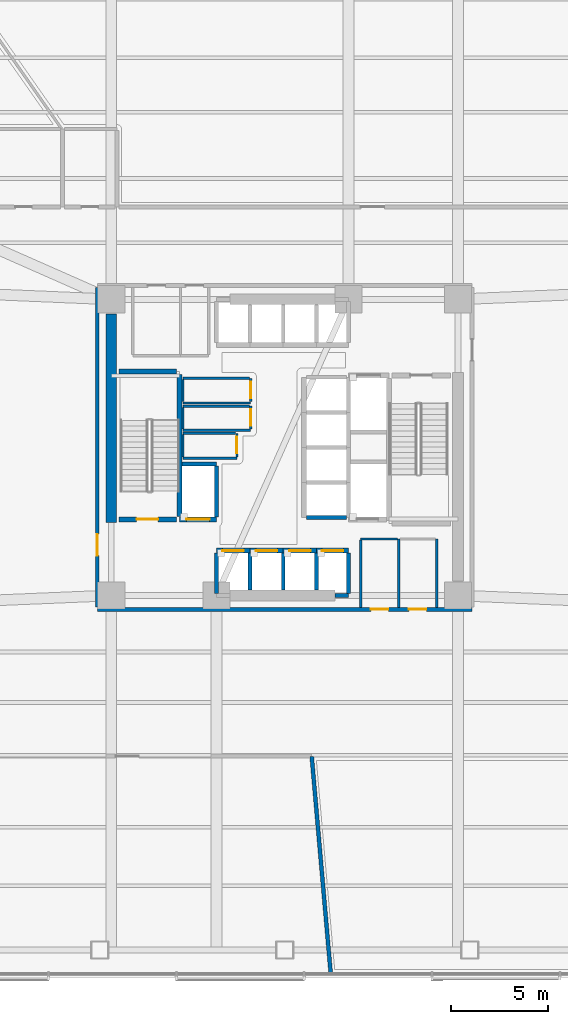
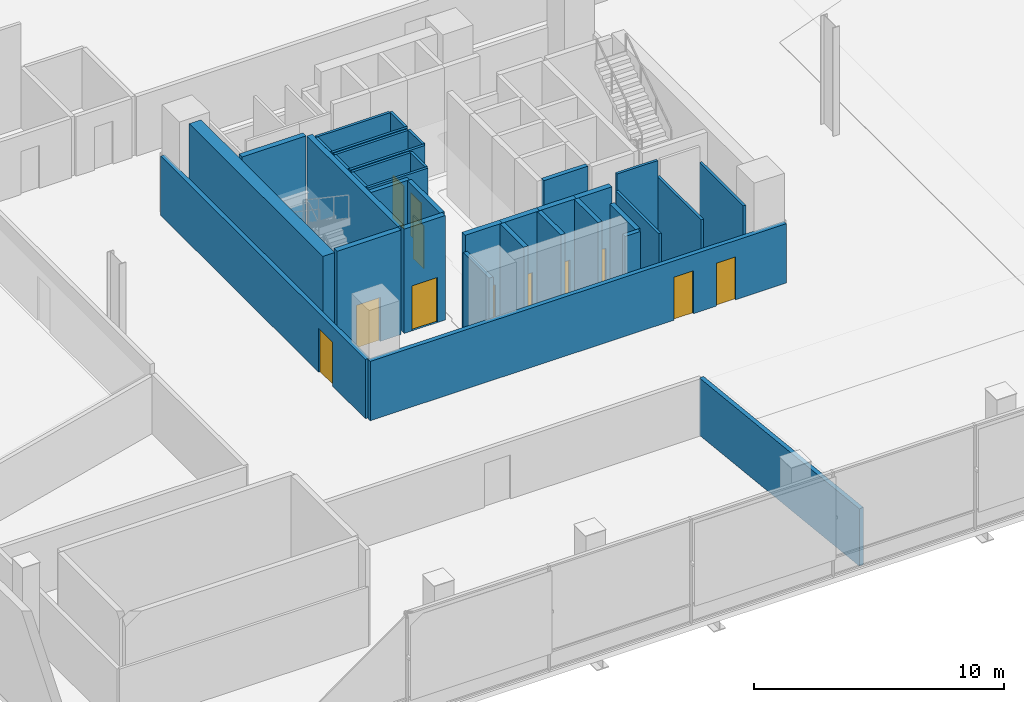
# One storey, part 12 of 19: 37 walls, 12 doors, 12 openings.
"""IFC4 building model written with IfcOpenShell, lengths in metres."""

from ifc_helpers import new_model, si_unit, direction, frame, frame_2d, origin, place, context, subcontext, project, spatial, rectangle, extrude, material, layer, layer_set, type_object, element, fill, save


model = new_model("IFC4")

# Units and contexts
model_context = context("Model", 3, precision=1e-05, world=origin(), true_north=direction((0.0, 1.0)))
body_context = subcontext(model_context, "Body", "Model", "MODEL_VIEW")
ifc_project = project(units=[si_unit("LENGTHUNIT", "METRE"), si_unit("AREAUNIT", "SQUARE_METRE"), si_unit("VOLUMEUNIT", "CUBIC_METRE"), si_unit("PLANEANGLEUNIT", "RADIAN"), si_unit("MASSUNIT", "GRAM", prefix="KILO")], contexts=[model_context])

# Site, building, storey
site_placement = place(None, origin())
site = spatial("IfcSite", under=ifc_project, at=site_placement, CompositionType="ELEMENT")
building_placement = place(site_placement, origin())
building = spatial("IfcBuilding", under=site, at=building_placement, Name="Tharavind Bronze Gate", CompositionType="ELEMENT")
storey_placement = place(building_placement, frame((0.0, 0.0, 26.5)))
storey = spatial("IfcBuildingStorey", under=building, at=storey_placement, Name="L05", CompositionType="ELEMENT", Elevation=26.5)

# Wall, openings, doors
ifc_material_1 = material(Name="Aerated Concrete Block", Category="concrete")
ifc_layer_1 = layer(ifc_material_1, 0.199951171875)
ifc_layer_set_1 = layer_set([ifc_layer_1], Name="Aerated Concrete Block")
wall_type_1 = type_object("IfcWallType", Name="FIRE RATED PARTITION 200", PredefinedType="PARTITIONING", material=ifc_layer_set_1)
wall_1_placement = place(storey_placement, frame((-9.6201171875, -8.320068359375, 0.0), z_axis=(0.0, 0.0, 1.0), x_axis=(1.0, 0.0, 0.0)))
wall_1 = element("IfcWall", 1, at=wall_1_placement, inside=storey, type_object=wall_type_1, Name="L05 south core corridor wall", PredefinedType="PARTITIONING", context=body_context, shape_type="SweptSolid", body=[
    extrude(rectangle(XDim=19.240234375, YDim=0.199951171875, at=frame_2d((9.6201171875, 0.0))), origin(), (0.0, 0.0, 1.0), 2.89990234375),
])
opening_1_placement = place(wall_1_placement, frame((14.044921875, 0.0, 0.0)))
opening_1 = element("IfcOpeningElement", 2, at=opening_1_placement, cuts=wall_1, Name="Opening ID07", PredefinedType="OPENING", context=body_context, shape_type="SweptSolid", body=[
    extrude(rectangle(XDim=0.89990234375, YDim=2.10009765625, at=frame_2d((0.449951171875, 1.050048828125))), frame((0.0, 0.11009765625, 0.0), z_axis=(0.0, -1.0, 0.0), x_axis=(1.0, 0.0, 0.0)), (0.0, 0.0, 1.0), 0.219951171875),
])
opening_2_placement = place(wall_1_placement, frame((15.9951171875, 0.0, 0.0)))
opening_2 = element("IfcOpeningElement", 3, at=opening_2_placement, cuts=wall_1, Name="Opening ID07", PredefinedType="OPENING", context=body_context, shape_type="SweptSolid", body=[
    extrude(rectangle(XDim=0.89990234375, YDim=2.10009765625, at=frame_2d((0.449951171875, 1.050048828125))), frame((0.0, 0.11009765625, 0.0), z_axis=(0.0, -1.0, 0.0), x_axis=(1.0, 0.0, 0.0)), (0.0, 0.0, 1.0), 0.219951171875),
])
ifc_material_2 = material(Name="Galvanised Fire Steel", Category="steel")
door_type_1 = type_object("IfcDoorType", Name="PLANT AND RISER FIRE DOOR 900X2100", OperationType="SINGLE_SWING_LEFT", PredefinedType="DOOR", material=ifc_material_2)
door_1_placement = place(opening_1_placement, origin())
door_1 = element("IfcDoor", 4, at=door_1_placement, inside=storey, type_object=door_type_1, Name="L05 Comms Patch Room fire door", OperationType="SINGLE_SWING_LEFT", OverallHeight=2.10009765625, OverallWidth=0.89990234375, PredefinedType="DOOR", context=body_context, shape_type="SweptSolid", body=[
    extrude(rectangle(XDim=0.89990234375, YDim=2.10009765625, at=frame_2d((0.449951171875, 1.050048828125))), frame((0.0, 0.02490234375, 0.0), z_axis=(0.0, -1.0, 0.0), x_axis=(1.0, 0.0, 0.0)), (0.0, 0.0, 1.0), 0.050048828125),
])
fill(opening_1, door_1)
door_2_placement = place(opening_2_placement, origin())
door_2 = element("IfcDoor", 5, at=door_2_placement, inside=storey, type_object=door_type_1, Name="L05 Housekeeping Store fire door", OperationType="SINGLE_SWING_LEFT", OverallHeight=2.10009765625, OverallWidth=0.89990234375, PredefinedType="DOOR", context=body_context, shape_type="SweptSolid", body=[
    extrude(rectangle(XDim=0.89990234375, YDim=2.10009765625, at=frame_2d((0.449951171875, 1.050048828125))), frame((0.0, 0.02490234375, 0.0), z_axis=(0.0, -1.0, 0.0), x_axis=(1.0, 0.0, 0.0)), (0.0, 0.0, 1.0), 0.050048828125),
])
fill(opening_2, door_2)

# Wall, opening, door
wall_2_placement = place(storey_placement, frame((-9.6201171875, 8.199951171875, 0.0), z_axis=(0.0, 0.0, 1.0), x_axis=(0.0, -1.0, 0.0)))
wall_2 = element("IfcWall", 6, at=wall_2_placement, inside=storey, type_object=wall_type_1, Name="L05 west core corridor wall", PredefinedType="PARTITIONING", context=body_context, shape_type="SweptSolid", body=[
    extrude(rectangle(XDim=16.39990234375, YDim=0.199951171875, at=frame_2d((8.199951171875, 0.0))), origin(), (0.0, 0.0, 1.0), 2.89990234375),
])
opening_3_placement = place(wall_2_placement, frame((12.64990234375, 0.0, 0.0)))
opening_3 = element("IfcOpeningElement", 7, at=opening_3_placement, cuts=wall_2, Name="Opening ID01", PredefinedType="OPENING", context=body_context, shape_type="SweptSolid", body=[
    extrude(rectangle(XDim=1.10009765625, YDim=2.14990234375, at=frame_2d((0.550048828125, 1.074951171875))), frame((0.0, 0.11009765625, 0.0), z_axis=(0.0, -1.0, 0.0), x_axis=(1.0, 0.0, 0.0)), (0.0, 0.0, 1.0), 0.219951171875),
])
ifc_material_3 = material(Name="Fire-Rated Steel", Category="steel")
door_type_2 = type_object("IfcDoorType", Name="STAIR CORE FIRE DOOR 1100X2150", OperationType="SINGLE_SWING_LEFT", PredefinedType="DOOR", material=ifc_material_3)
door_3_placement = place(opening_3_placement, frame((1.10009765625, 0.0, 0.0), z_axis=(0.0, 0.0, 1.0), x_axis=(-1.0, 0.0, 0.0)))
door_3 = element("IfcDoor", 8, at=door_3_placement, inside=storey, type_object=door_type_2, Name="L05 south west stair lobby fire door", OperationType="SINGLE_SWING_LEFT", OverallHeight=2.14990234375, OverallWidth=1.10009765625, PredefinedType="DOOR", context=body_context, shape_type="SweptSolid", body=[
    extrude(rectangle(XDim=1.10009765625, YDim=2.14990234375, at=frame_2d((0.550048828125, 1.074951171875))), frame((0.0, 0.02490234375, 0.0), z_axis=(0.0, -1.0, 0.0), x_axis=(1.0, 0.0, 0.0)), (0.0, 0.0, 1.0), 0.050048828125),
])
fill(opening_3, door_3)

# Walls
wall_3_placement = place(storey_placement, frame((1.388671875, -15.872802734375, 0.0), z_axis=(0.0, 0.0, 1.0), x_axis=(0.087157182967, -0.996194572088, 0.0)))
element("IfcWall", 9, at=wall_3_placement, inside=storey, type_object=wall_type_1, Name="L05 Press & Broadcast Media Lounge partition", PredefinedType="PARTITIONING", context=body_context, shape_type="SweptSolid", body=[
    extrude(rectangle(XDim=11.16259765625, YDim=0.199951171875, at=frame_2d((5.581298828125, 0.0))), origin(), (0.0, 0.0, 1.0), 2.800048828125),
])
ifc_material_4 = material(Name="Metal Stud Gypsum Partition", Category="gypsum")
ifc_layer_2 = layer(ifc_material_4, 0.1201171875)
ifc_layer_set_2 = layer_set([ifc_layer_2], Name="Metal Stud Gypsum Partition")
wall_type_2 = type_object("IfcWallType", Name="INTERIOR PARTITION WALL 120", PredefinedType="PARTITIONING", material=ifc_layer_set_2)
wall_4_placement = place(storey_placement, frame((-5.219970703125, 2.280029296875, 0.0), z_axis=(0.0, 0.0, 1.0), x_axis=(1.0, 0.0, 0.0)))
element("IfcWall", 10, at=wall_4_placement, inside=storey, type_object=wall_type_2, Name="L05 Housekeeping Linen Store partition 1", PredefinedType="PARTITIONING", context=body_context, shape_type="SweptSolid", body=[
    extrude(rectangle(XDim=3.469970703125, YDim=0.1201171875, at=frame_2d((1.73486328125, 0.0))), origin(), (0.0, 0.0, 1.0), 5.10498046875),
])

# Wall, opening, door
wall_5_placement = place(storey_placement, frame((-1.75, 2.344970703125, 0.0), z_axis=(0.0, 0.0, 1.0), x_axis=(0.0, 1.0, 0.0)))
wall_5 = element("IfcWall", 11, at=wall_5_placement, inside=storey, type_object=wall_type_2, Name="L05 Housekeeping Linen Store partition 2", PredefinedType="PARTITIONING", context=body_context, shape_type="SweptSolid", body=[
    extrude(rectangle(XDim=1.205078125, YDim=0.1201171875, at=frame_2d((0.6025390625, 0.0))), origin(), (0.0, 0.0, 1.0), 5.10498046875),
])
opening_4_placement = place(wall_5_placement, frame((0.177001953125, 0.0, 0.0)))
opening_4 = element("IfcOpeningElement", 12, at=opening_4_placement, cuts=wall_5, Name="Opening ID06", PredefinedType="OPENING", context=body_context, shape_type="SweptSolid", body=[
    extrude(rectangle(XDim=0.85009765625, YDim=2.10009765625, at=frame_2d((0.425048828125, 1.050048828125))), frame((0.0, 0.07005859375, 0.0), z_axis=(0.0, -1.0, 0.0), x_axis=(1.0, 0.0, 0.0)), (0.0, 0.0, 1.0), 0.1401171875),
])
ifc_material_5 = material(Name="Moisture-Resistant Timber", Category="wood")
door_type_3 = type_object("IfcDoorType", Name="BATHROOM PRIVACY DOOR 850X2100", OperationType="SINGLE_SWING_RIGHT", PredefinedType="DOOR", material=ifc_material_5)
door_4_placement = place(opening_4_placement, frame((0.85009765625, 0.0, 0.0), z_axis=(0.0, 0.0, 1.0), x_axis=(-1.0, 0.0, 0.0)))
door_4 = element("IfcDoor", 13, at=door_4_placement, inside=storey, type_object=door_type_3, Name="L05 Housekeeping Linen Store door", OperationType="SINGLE_SWING_RIGHT", OverallHeight=2.10009765625, OverallWidth=0.85009765625, PredefinedType="DOOR", context=body_context, shape_type="SweptSolid", body=[
    extrude(rectangle(XDim=0.85009765625, YDim=2.10009765625, at=frame_2d((0.425048828125, 1.050048828125))), frame((0.0, 0.02490234375, 0.0), z_axis=(0.0, -1.0, 0.0), x_axis=(1.0, 0.0, 0.0)), (0.0, 0.0, 1.0), 0.050048828125),
])
fill(opening_4, door_4)

# Walls
wall_6_placement = place(storey_placement, frame((-1.81494140625, 3.550048828125, 0.0), z_axis=(0.0, 0.0, 1.0), x_axis=(-1.0, 0.0, 0.0)))
element("IfcWall", 14, at=wall_6_placement, inside=storey, type_object=wall_type_2, Name="L05 Housekeeping Linen Store partition 3", PredefinedType="PARTITIONING", context=body_context, shape_type="SweptSolid", body=[
    extrude(rectangle(XDim=3.405029296875, YDim=0.1201171875, at=frame_2d((1.70263671875, 0.0))), origin(), (0.0, 0.0, 1.0), 5.10498046875),
])
wall_7_placement = place(storey_placement, frame((-5.219970703125, 3.485107421875, 0.0), z_axis=(0.0, 0.0, 1.0), x_axis=(0.0, -1.0, 0.0)))
element("IfcWall", 15, at=wall_7_placement, inside=storey, type_object=wall_type_2, Name="L05 Housekeeping Linen Store partition 4", PredefinedType="PARTITIONING", context=body_context, shape_type="SweptSolid", body=[
    extrude(rectangle(XDim=1.14013671875, YDim=0.1201171875, at=frame_2d((0.570068359375, 0.0))), origin(), (0.0, 0.0, 1.0), 5.10498046875),
])
wall_8_placement = place(storey_placement, frame((-5.219970703125, 0.8798828125, 0.0), z_axis=(0.0, 0.0, 1.0), x_axis=(1.0, 0.0, 0.0)))
element("IfcWall", 16, at=wall_8_placement, inside=storey, type_object=wall_type_2, Name="L05 Comms Data Room partition 1", PredefinedType="PARTITIONING", context=body_context, shape_type="SweptSolid", body=[
    extrude(rectangle(XDim=3.469970703125, YDim=0.1201171875, at=frame_2d((1.73486328125, 0.0))), origin(), (0.0, 0.0, 1.0), 5.10498046875),
])

# Wall, opening, door
wall_9_placement = place(storey_placement, frame((-1.75, 0.945068359375, 0.0), z_axis=(0.0, 0.0, 1.0), x_axis=(0.0, 1.0, 0.0)))
wall_9 = element("IfcWall", 17, at=wall_9_placement, inside=storey, type_object=wall_type_2, Name="L05 Comms Data Room partition 2", PredefinedType="PARTITIONING", context=body_context, shape_type="SweptSolid", body=[
    extrude(rectangle(XDim=1.175048828125, YDim=0.1201171875, at=frame_2d((0.58740234375, 0.0))), origin(), (0.0, 0.0, 1.0), 5.10498046875),
])
opening_5_placement = place(wall_9_placement, frame((0.1630859375, 0.0, 0.0)))
opening_5 = element("IfcOpeningElement", 18, at=opening_5_placement, cuts=wall_9, Name="Opening ID06", PredefinedType="OPENING", context=body_context, shape_type="SweptSolid", body=[
    extrude(rectangle(XDim=0.85009765625, YDim=2.10009765625, at=frame_2d((0.425048828125, 1.050048828125))), frame((0.0, 0.07005859375, 0.0), z_axis=(0.0, -1.0, 0.0), x_axis=(1.0, 0.0, 0.0)), (0.0, 0.0, 1.0), 0.1401171875),
])
door_5_placement = place(opening_5_placement, frame((0.85009765625, 0.0, 0.0), z_axis=(0.0, 0.0, 1.0), x_axis=(-1.0, 0.0, 0.0)))
door_5 = element("IfcDoor", 19, at=door_5_placement, inside=storey, type_object=door_type_3, Name="L05 Comms Data Room door", OperationType="SINGLE_SWING_RIGHT", OverallHeight=2.10009765625, OverallWidth=0.85009765625, PredefinedType="DOOR", context=body_context, shape_type="SweptSolid", body=[
    extrude(rectangle(XDim=0.85009765625, YDim=2.10009765625, at=frame_2d((0.425048828125, 1.050048828125))), frame((0.0, 0.02490234375, 0.0), z_axis=(0.0, -1.0, 0.0), x_axis=(1.0, 0.0, 0.0)), (0.0, 0.0, 1.0), 0.050048828125),
])
fill(opening_5, door_5)

# Walls
wall_10_placement = place(storey_placement, frame((-1.81494140625, 2.1201171875, 0.0), z_axis=(0.0, 0.0, 1.0), x_axis=(-1.0, 0.0, 0.0)))
element("IfcWall", 20, at=wall_10_placement, inside=storey, type_object=wall_type_2, Name="L05 Comms Data Room partition 3", PredefinedType="PARTITIONING", context=body_context, shape_type="SweptSolid", body=[
    extrude(rectangle(XDim=3.405029296875, YDim=0.1201171875, at=frame_2d((1.70263671875, 0.0))), origin(), (0.0, 0.0, 1.0), 5.10498046875),
])
wall_11_placement = place(storey_placement, frame((-5.219970703125, 2.054931640625, 0.0), z_axis=(0.0, 0.0, 1.0), x_axis=(0.0, -1.0, 0.0)))
element("IfcWall", 21, at=wall_11_placement, inside=storey, type_object=wall_type_2, Name="L05 Comms Data Room partition 4", PredefinedType="PARTITIONING", context=body_context, shape_type="SweptSolid", body=[
    extrude(rectangle(XDim=1.10986328125, YDim=0.1201171875, at=frame_2d((0.554931640625, 0.0))), origin(), (0.0, 0.0, 1.0), 5.10498046875),
])
wall_12_placement = place(storey_placement, frame((-5.219970703125, -0.550048828125, 0.0), z_axis=(0.0, 0.0, 1.0), x_axis=(1.0, 0.0, 0.0)))
element("IfcWall", 22, at=wall_12_placement, inside=storey, type_object=wall_type_2, Name="L05 Electrical Metering Store partition 1", PredefinedType="PARTITIONING", context=body_context, shape_type="SweptSolid", body=[
    extrude(rectangle(XDim=2.77001953125, YDim=0.1201171875, at=frame_2d((1.385009765625, 0.0))), origin(), (0.0, 0.0, 1.0), 5.10498046875),
])

# Wall, opening, door
wall_13_placement = place(storey_placement, frame((-2.449951171875, -0.485107421875, 0.0), z_axis=(0.0, 0.0, 1.0), x_axis=(0.0, 1.0, 0.0)))
wall_13 = element("IfcWall", 23, at=wall_13_placement, inside=storey, type_object=wall_type_2, Name="L05 Electrical Metering Store partition 2", PredefinedType="PARTITIONING", context=body_context, shape_type="SweptSolid", body=[
    extrude(rectangle(XDim=1.205078125, YDim=0.1201171875, at=frame_2d((0.6025390625, 0.0))), origin(), (0.0, 0.0, 1.0), 5.10498046875),
])
opening_6_placement = place(wall_13_placement, frame((0.177978515625, 0.0, 0.0)))
opening_6 = element("IfcOpeningElement", 24, at=opening_6_placement, cuts=wall_13, Name="Opening ID06", PredefinedType="OPENING", context=body_context, shape_type="SweptSolid", body=[
    extrude(rectangle(XDim=0.85009765625, YDim=2.10009765625, at=frame_2d((0.425048828125, 1.050048828125))), frame((0.0, 0.07005859375, 0.0), z_axis=(0.0, -1.0, 0.0), x_axis=(1.0, 0.0, 0.0)), (0.0, 0.0, 1.0), 0.1401171875),
])
door_6_placement = place(opening_6_placement, frame((0.85009765625, 0.0, 0.0), z_axis=(0.0, 0.0, 1.0), x_axis=(-1.0, 0.0, 0.0)))
door_6 = element("IfcDoor", 25, at=door_6_placement, inside=storey, type_object=door_type_3, Name="L05 Electrical Metering Store door", OperationType="SINGLE_SWING_RIGHT", OverallHeight=2.10009765625, OverallWidth=0.85009765625, PredefinedType="DOOR", context=body_context, shape_type="SweptSolid", body=[
    extrude(rectangle(XDim=0.85009765625, YDim=2.10009765625, at=frame_2d((0.425048828125, 1.050048828125))), frame((0.0, 0.02490234375, 0.0), z_axis=(0.0, -1.0, 0.0), x_axis=(1.0, 0.0, 0.0)), (0.0, 0.0, 1.0), 0.050048828125),
])
fill(opening_6, door_6)

# Walls
wall_14_placement = place(storey_placement, frame((-2.514892578125, 0.719970703125, 0.0), z_axis=(0.0, 0.0, 1.0), x_axis=(-1.0, 0.0, 0.0)))
element("IfcWall", 26, at=wall_14_placement, inside=storey, type_object=wall_type_2, Name="L05 Electrical Metering Store partition 3", PredefinedType="PARTITIONING", context=body_context, shape_type="SweptSolid", body=[
    extrude(rectangle(XDim=2.705078125, YDim=0.1201171875, at=frame_2d((1.3525390625, 0.0))), origin(), (0.0, 0.0, 1.0), 5.10498046875),
])
wall_15_placement = place(storey_placement, frame((-5.219970703125, 0.655029296875, 0.0), z_axis=(0.0, 0.0, 1.0), x_axis=(0.0, -1.0, 0.0)))
element("IfcWall", 27, at=wall_15_placement, inside=storey, type_object=wall_type_2, Name="L05 Electrical Metering Store partition 4", PredefinedType="PARTITIONING", context=body_context, shape_type="SweptSolid", body=[
    extrude(rectangle(XDim=1.14013671875, YDim=0.1201171875, at=frame_2d((0.570068359375, 0.0))), origin(), (0.0, 0.0, 1.0), 5.10498046875),
])
wall_16_placement = place(storey_placement, frame((5.85009765625, -8.215087890625, 0.0), z_axis=(0.0, 0.0, 1.0), x_axis=(0.0, 1.0, 0.0)))
element("IfcWall", 28, at=wall_16_placement, inside=storey, type_object=wall_type_2, Name="L05 Comms Patch Room partition 2", PredefinedType="PARTITIONING", context=body_context, shape_type="SweptSolid", body=[
    extrude(rectangle(XDim=3.51513671875, YDim=0.1201171875, at=frame_2d((1.757568359375, 0.0))), origin(), (0.0, 0.0, 1.0), 4.300048828125),
])
wall_17_placement = place(storey_placement, frame((5.784912109375, -4.699951171875, 0.0), z_axis=(0.0, 0.0, 1.0), x_axis=(-1.0, 0.0, 0.0)))
element("IfcWall", 29, at=wall_17_placement, inside=storey, type_object=wall_type_2, Name="L05 Comms Patch Room partition 3", PredefinedType="PARTITIONING", context=body_context, shape_type="SweptSolid", body=[
    extrude(rectangle(XDim=1.885009765625, YDim=0.1201171875, at=frame_2d((0.9423828125, 0.0))), origin(), (0.0, 0.0, 1.0), 5.10498046875),
])
wall_18_placement = place(storey_placement, frame((3.89990234375, -4.764892578125, 0.0), z_axis=(0.0, 0.0, 1.0), x_axis=(0.0, -1.0, 0.0)))
element("IfcWall", 30, at=wall_18_placement, inside=storey, type_object=wall_type_2, Name="L05 Comms Patch Room partition 4", PredefinedType="PARTITIONING", context=body_context, shape_type="SweptSolid", body=[
    extrude(rectangle(XDim=3.4501953125, YDim=0.1201171875, at=frame_2d((1.72509765625, 0.0))), origin(), (0.0, 0.0, 1.0), 4.300048828125),
])
wall_19_placement = place(storey_placement, frame((7.800048828125, -8.215087890625, 0.0), z_axis=(0.0, 0.0, 1.0), x_axis=(0.0, 1.0, 0.0)))
element("IfcWall", 31, at=wall_19_placement, inside=storey, type_object=wall_type_2, Name="L05 Housekeeping Store partition 2", PredefinedType="PARTITIONING", context=body_context, shape_type="SweptSolid", body=[
    extrude(rectangle(XDim=3.51513671875, YDim=0.1201171875, at=frame_2d((1.757568359375, 0.0))), origin(), (0.0, 0.0, 1.0), 4.300048828125),
])
ifc_material_6 = material(Name="Concrete C50/60", Category="concrete")
ifc_layer_3 = layer(ifc_material_6, 0.25)
ifc_layer_set_3 = layer_set([ifc_layer_3], Name="Concrete C50/60")
wall_type_3 = type_object("IfcWallType", Name="RC CORE SHEAR WALL 250", PredefinedType="SHEAR", material=ifc_layer_set_3)
wall_20_placement = place(storey_placement, frame((-5.39990234375, -3.550048828125, 0.0), z_axis=(0.0, 0.0, 1.0), x_axis=(0.0, 1.0, 0.0)))
element("IfcWall", 32, at=wall_20_placement, inside=storey, type_object=wall_type_3, Name="L05 ST1 shaft east wall", PredefinedType="SHEAR", context=body_context, shape_type="SweptSolid", body=[
    extrude(rectangle(XDim=7.300048828125, YDim=0.25, at=frame_2d((3.64990234375, 0.0))), origin(), (0.0, 0.0, 1.0), 5.10498046875),
])

# Wall, opening, door
wall_21_placement = place(storey_placement, frame((-8.5, -3.699951171875, 0.0), z_axis=(0.0, 0.0, 1.0), x_axis=(1.0, 0.0, 0.0)))
wall_21 = element("IfcWall", 33, at=wall_21_placement, inside=storey, type_object=wall_type_3, Name="L05 ST1 shaft south wall", PredefinedType="SHEAR", context=body_context, shape_type="SweptSolid", body=[
    extrude(rectangle(XDim=2.949951171875, YDim=0.25, at=frame_2d((1.47509765625, 0.0))), origin(), (0.0, 0.0, 1.0), 5.10498046875),
])
opening_7_placement = place(wall_21_placement, frame((0.89990234375, 0.0, 0.0)))
opening_7 = element("IfcOpeningElement", 34, at=opening_7_placement, cuts=wall_21, Name="Opening ID01", PredefinedType="OPENING", context=body_context, shape_type="SweptSolid", body=[
    extrude(rectangle(XDim=1.10009765625, YDim=2.14990234375, at=frame_2d((0.550048828125, 1.074951171875))), frame((0.0, 0.135, 0.0), z_axis=(0.0, -1.0, 0.0), x_axis=(1.0, 0.0, 0.0)), (0.0, 0.0, 1.0), 0.27),
])
door_7_placement = place(opening_7_placement, origin())
door_7 = element("IfcDoor", 35, at=door_7_placement, inside=storey, type_object=door_type_2, Name="L05 exit stair ST1 fire door", OperationType="SINGLE_SWING_LEFT", OverallHeight=2.14990234375, OverallWidth=1.10009765625, PredefinedType="DOOR", context=body_context, shape_type="SweptSolid", body=[
    extrude(rectangle(XDim=1.10009765625, YDim=2.14990234375, at=frame_2d((0.550048828125, 1.074951171875))), frame((0.0, 0.02490234375, 0.0), z_axis=(0.0, -1.0, 0.0), x_axis=(1.0, 0.0, 0.0)), (0.0, 0.0, 1.0), 0.050048828125),
])
fill(opening_7, door_7)

# Wall
wall_22_placement = place(storey_placement, frame((-8.5, 3.89990234375, 0.0), z_axis=(0.0, 0.0, 1.0), x_axis=(1.0, 0.0, 0.0)))
element("IfcWall", 36, at=wall_22_placement, inside=storey, type_object=wall_type_3, Name="L05 ST1 shaft north wall", PredefinedType="SHEAR", context=body_context, shape_type="SweptSolid", body=[
    extrude(rectangle(XDim=2.949951171875, YDim=0.25, at=frame_2d((1.47509765625, 0.0))), origin(), (0.0, 0.0, 1.0), 5.10498046875),
])

# Wall, opening, door
wall_23_placement = place(storey_placement, frame((-3.5, -5.300048828125, 0.0), z_axis=(0.0, 0.0, 1.0), x_axis=(1.0, 0.0, 0.0)))
wall_23 = element("IfcWall", 37, at=wall_23_placement, inside=storey, type_object=wall_type_3, Name="L05 lift PL1 shaft front wall", PredefinedType="SHEAR", context=body_context, shape_type="SweptSolid", body=[
    extrude(rectangle(XDim=1.71240234375, YDim=0.25, at=frame_2d((0.856201171875, 0.0))), origin(), (0.0, 0.0, 1.0), 5.10498046875),
])
opening_8_placement = place(wall_23_placement, frame((0.305908203125, 0.0, 0.0)))
opening_8 = element("IfcOpeningElement", 38, at=opening_8_placement, cuts=wall_23, Name="Opening LD01", PredefinedType="OPENING", context=body_context, shape_type="SweptSolid", body=[
    extrude(rectangle(XDim=1.10009765625, YDim=2.199951171875, at=frame_2d((0.550048828125, 1.10009765625))), frame((0.0, 0.135, 0.0), z_axis=(0.0, -1.0, 0.0), x_axis=(1.0, 0.0, 0.0)), (0.0, 0.0, 1.0), 0.27),
])
ifc_material_7 = material(Name="Brushed Bronze Stainless Steel", Category="steel")
door_type_4 = type_object("IfcDoorType", Name="LIFT LANDING SLIDING DOOR 1100X2200", OperationType="SLIDING_TO_LEFT", PredefinedType="DOOR", material=ifc_material_7)
door_8_placement = place(opening_8_placement, origin())
door_8 = element("IfcDoor", 39, at=door_8_placement, inside=storey, type_object=door_type_4, Name="L05 lift PL1 sliding landing door", OperationType="SLIDING_TO_LEFT", OverallHeight=2.199951171875, OverallWidth=1.10009765625, PredefinedType="DOOR", context=body_context, shape_type="SweptSolid", body=[
    extrude(rectangle(XDim=1.10009765625, YDim=2.199951171875, at=frame_2d((0.550048828125, 1.10009765625))), frame((0.0, 0.02490234375, 0.0), z_axis=(0.0, -1.0, 0.0), x_axis=(1.0, 0.0, 0.0)), (0.0, 0.0, 1.0), 0.050048828125),
])
fill(opening_8, door_8)

wall_24_placement = place(storey_placement, frame((-1.78759765625, -5.300048828125, 0.0), z_axis=(0.0, 0.0, 1.0), x_axis=(1.0, 0.0, 0.0)))
wall_24 = element("IfcWall", 40, at=wall_24_placement, inside=storey, type_object=wall_type_3, Name="L05 lift PL2 shaft front wall", PredefinedType="SHEAR", context=body_context, shape_type="SweptSolid", body=[
    extrude(rectangle(XDim=1.712646484375, YDim=0.25, at=frame_2d((0.8564453125, 0.0))), origin(), (0.0, 0.0, 1.0), 5.10498046875),
])
opening_9_placement = place(wall_24_placement, frame((0.305908203125, 0.0, 0.0)))
opening_9 = element("IfcOpeningElement", 41, at=opening_9_placement, cuts=wall_24, Name="Opening LD01", PredefinedType="OPENING", context=body_context, shape_type="SweptSolid", body=[
    extrude(rectangle(XDim=1.10009765625, YDim=2.199951171875, at=frame_2d((0.550048828125, 1.10009765625))), frame((0.0, 0.135, 0.0), z_axis=(0.0, -1.0, 0.0), x_axis=(1.0, 0.0, 0.0)), (0.0, 0.0, 1.0), 0.27),
])
door_9_placement = place(opening_9_placement, origin())
door_9 = element("IfcDoor", 42, at=door_9_placement, inside=storey, type_object=door_type_4, Name="L05 lift PL2 sliding landing door", OperationType="SLIDING_TO_LEFT", OverallHeight=2.199951171875, OverallWidth=1.10009765625, PredefinedType="DOOR", context=body_context, shape_type="SweptSolid", body=[
    extrude(rectangle(XDim=1.10009765625, YDim=2.199951171875, at=frame_2d((0.550048828125, 1.10009765625))), frame((0.0, 0.02490234375, 0.0), z_axis=(0.0, -1.0, 0.0), x_axis=(1.0, 0.0, 0.0)), (0.0, 0.0, 1.0), 0.050048828125),
])
fill(opening_9, door_9)

wall_25_placement = place(storey_placement, frame((-0.074951171875, -5.300048828125, 0.0), z_axis=(0.0, 0.0, 1.0), x_axis=(1.0, 0.0, 0.0)))
wall_25 = element("IfcWall", 43, at=wall_25_placement, inside=storey, type_object=wall_type_3, Name="L05 lift PL3 shaft front wall", PredefinedType="SHEAR", context=body_context, shape_type="SweptSolid", body=[
    extrude(rectangle(XDim=1.71240234375, YDim=0.25, at=frame_2d((0.856201171875, 0.0))), origin(), (0.0, 0.0, 1.0), 5.10498046875),
])
opening_10_placement = place(wall_25_placement, frame((0.305908203125, 0.0, 0.0)))
opening_10 = element("IfcOpeningElement", 44, at=opening_10_placement, cuts=wall_25, Name="Opening LD01", PredefinedType="OPENING", context=body_context, shape_type="SweptSolid", body=[
    extrude(rectangle(XDim=1.10009765625, YDim=2.199951171875, at=frame_2d((0.550048828125, 1.10009765625))), frame((0.0, 0.135, 0.0), z_axis=(0.0, -1.0, 0.0), x_axis=(1.0, 0.0, 0.0)), (0.0, 0.0, 1.0), 0.27),
])
door_10_placement = place(opening_10_placement, origin())
door_10 = element("IfcDoor", 45, at=door_10_placement, inside=storey, type_object=door_type_4, Name="L05 lift PL3 sliding landing door", OperationType="SLIDING_TO_LEFT", OverallHeight=2.199951171875, OverallWidth=1.10009765625, PredefinedType="DOOR", context=body_context, shape_type="SweptSolid", body=[
    extrude(rectangle(XDim=1.10009765625, YDim=2.199951171875, at=frame_2d((0.550048828125, 1.10009765625))), frame((0.0, 0.02490234375, 0.0), z_axis=(0.0, -1.0, 0.0), x_axis=(1.0, 0.0, 0.0)), (0.0, 0.0, 1.0), 0.050048828125),
])
fill(opening_10, door_10)

wall_26_placement = place(storey_placement, frame((1.637451171875, -5.300048828125, 0.0), z_axis=(0.0, 0.0, 1.0), x_axis=(1.0, 0.0, 0.0)))
wall_26 = element("IfcWall", 46, at=wall_26_placement, inside=storey, type_object=wall_type_3, Name="L05 lift PL4 shaft front wall", PredefinedType="SHEAR", context=body_context, shape_type="SweptSolid", body=[
    extrude(rectangle(XDim=1.642578125, YDim=0.25, at=frame_2d((0.8212890625, 0.0))), origin(), (0.0, 0.0, 1.0), 5.10498046875),
])
opening_11_placement = place(wall_26_placement, frame((0.27099609375, 0.0, 0.0)))
opening_11 = element("IfcOpeningElement", 47, at=opening_11_placement, cuts=wall_26, Name="Opening LD01", PredefinedType="OPENING", context=body_context, shape_type="SweptSolid", body=[
    extrude(rectangle(XDim=1.10009765625, YDim=2.199951171875, at=frame_2d((0.550048828125, 1.10009765625))), frame((0.0, 0.135, 0.0), z_axis=(0.0, -1.0, 0.0), x_axis=(1.0, 0.0, 0.0)), (0.0, 0.0, 1.0), 0.27),
])
door_11_placement = place(opening_11_placement, origin())
door_11 = element("IfcDoor", 48, at=door_11_placement, inside=storey, type_object=door_type_4, Name="L05 lift PL4 sliding landing door", OperationType="SLIDING_TO_LEFT", OverallHeight=2.199951171875, OverallWidth=1.10009765625, PredefinedType="DOOR", context=body_context, shape_type="SweptSolid", body=[
    extrude(rectangle(XDim=1.10009765625, YDim=2.199951171875, at=frame_2d((0.550048828125, 1.10009765625))), frame((0.0, 0.02490234375, 0.0), z_axis=(0.0, -1.0, 0.0), x_axis=(1.0, 0.0, 0.0)), (0.0, 0.0, 1.0), 0.050048828125),
])
fill(opening_11, door_11)

wall_27_placement = place(storey_placement, frame((-5.39990234375, -3.699951171875, 0.0), z_axis=(0.0, 0.0, 1.0), x_axis=(1.0, 0.0, 0.0)))
wall_27 = element("IfcWall", 49, at=wall_27_placement, inside=storey, type_object=wall_type_3, Name="L05 lift FFL1 shaft front wall", PredefinedType="SHEAR", context=body_context, shape_type="SweptSolid", body=[
    extrude(rectangle(XDim=1.89990234375, YDim=0.25, at=frame_2d((0.949951171875, 0.0))), origin(), (0.0, 0.0, 1.0), 5.10498046875),
])
opening_12_placement = place(wall_27_placement, frame((0.35009765625, 0.0, 0.0)))
opening_12 = element("IfcOpeningElement", 50, at=opening_12_placement, cuts=wall_27, Name="Opening LD02", PredefinedType="OPENING", context=body_context, shape_type="SweptSolid", body=[
    extrude(rectangle(XDim=1.199951171875, YDim=2.199951171875, at=frame_2d((0.60009765625, 1.10009765625))), frame((0.0, 0.135, 0.0), z_axis=(0.0, -1.0, 0.0), x_axis=(1.0, 0.0, 0.0)), (0.0, 0.0, 1.0), 0.27),
])
ifc_material_8 = material(Name="Brushed Stainless Steel", Category="steel")
door_type_5 = type_object("IfcDoorType", Name="FIREFIGHTING LIFT LANDING DOOR 1200X2200", OperationType="SLIDING_TO_RIGHT", PredefinedType="DOOR", material=ifc_material_8)
door_12_placement = place(opening_12_placement, origin())
door_12 = element("IfcDoor", 51, at=door_12_placement, inside=storey, type_object=door_type_5, Name="L05 lift FFL1 sliding landing door", OperationType="SLIDING_TO_RIGHT", OverallHeight=2.199951171875, OverallWidth=1.199951171875, PredefinedType="DOOR", context=body_context, shape_type="SweptSolid", body=[
    extrude(rectangle(XDim=1.199951171875, YDim=2.199951171875, at=frame_2d((0.60009765625, 1.10009765625))), frame((0.0, 0.02490234375, 0.0), z_axis=(0.0, -1.0, 0.0), x_axis=(1.0, 0.0, 0.0)), (0.0, 0.0, 1.0), 0.050048828125),
])
fill(opening_12, door_12)

# Walls
ifc_material_9 = material(Name="Concrete C60/75", Category="concrete")
ifc_layer_4 = layer(ifc_material_9, 0.550048828125)
ifc_layer_set_4 = layer_set([ifc_layer_4], Name="Concrete C60/75")
wall_type_4 = type_object("IfcWallType", Name="RC CORE SHEAR WALL 550", PredefinedType="SHEAR", material=ifc_layer_set_4)
wall_28_placement = place(storey_placement, frame((-8.89990234375, -3.85009765625, 0.0), z_axis=(0.0, 0.0, 1.0), x_axis=(0.0, 1.0, 0.0)))
element("IfcWall", 52, at=wall_28_placement, inside=storey, type_object=wall_type_4, Name="L05 west core shear wall", PredefinedType="SHEAR", context=body_context, shape_type="SweptSolid", body=[
    extrude(rectangle(XDim=10.7001953125, YDim=0.550048828125, at=frame_2d((5.35009765625, 0.0))), origin(), (0.0, 0.0, 1.0), 5.10498046875),
])
ifc_material_10 = material(Name="Concrete C40/50", Category="concrete")
ifc_layer_5 = layer(ifc_material_10, 0.199951171875)
ifc_layer_set_5 = layer_set([ifc_layer_5], Name="Concrete C40/50")
wall_type_5 = type_object("IfcWallType", Name="SHAFT ENCLOSURE WALL 200", PredefinedType="PARTITIONING", material=ifc_layer_set_5)
wall_29_placement = place(storey_placement, frame((-3.5, -7.4951171875, 0.0), z_axis=(0.0, 0.0, 1.0), x_axis=(0.0, 1.0, 0.0)))
element("IfcWall", 53, at=wall_29_placement, inside=storey, type_object=wall_type_5, Name="L05 lift PL1 shaft W enclosure wall", PredefinedType="PARTITIONING", context=body_context, shape_type="SweptSolid", body=[
    extrude(rectangle(XDim=2.065185546875, YDim=0.199951171875, at=frame_2d((1.03271484375, 0.0))), origin(), (0.0, 0.0, 1.0), 4.300048828125),
])
for number, where, z_axis, x_axis, name in (
    (54, (-1.78759765625, -7.320068359375, 0.0), (0.0, 0.0, 1.0), (0.0, 1.0, 0.0), "L05 lift PL1 shaft E enclosure wall"),
    (55, (-0.074951171875, -7.320068359375, 0.0), (0.0, 0.0, 1.0), (0.0, 1.0, 0.0), "L05 lift PL2 shaft E enclosure wall"),
    (56, (1.637451171875, -7.320068359375, 0.0), (0.0, 0.0, 1.0), (0.0, 1.0, 0.0), "L05 lift PL3 shaft E enclosure wall"),
):
    element("IfcWall", number, at=place(storey_placement, frame(where, z_axis=z_axis, x_axis=x_axis)), inside=storey, type_object=wall_type_5, Name=name, PredefinedType="PARTITIONING", context=body_context, shape_type="SweptSolid", body=[
        extrude(rectangle(XDim=1.89013671875, YDim=0.199951171875, at=frame_2d((0.945068359375, 0.0))), origin(), (0.0, 0.0, 1.0), 5.10498046875),
    ])
wall_30_placement = place(storey_placement, frame((2.580078125, -7.60009765625, 0.0), z_axis=(0.0, 0.0, 1.0), x_axis=(1.0, 0.0, 0.0)))
element("IfcWall", 57, at=wall_30_placement, inside=storey, type_object=wall_type_5, Name="L05 lift PL4 shaft S enclosure wall", PredefinedType="PARTITIONING", context=body_context, shape_type="SweptSolid", body=[
    extrude(rectangle(XDim=0.699951171875, YDim=0.199951171875, at=frame_2d((0.35009765625, 0.0))), origin(), (0.0, 0.0, 1.0), 4.300048828125),
])
wall_31_placement = place(storey_placement, frame((3.280029296875, -7.4951171875, 0.0), z_axis=(0.0, 0.0, 1.0), x_axis=(0.0, 1.0, 0.0)))
element("IfcWall", 58, at=wall_31_placement, inside=storey, type_object=wall_type_5, Name="L05 lift PL4 shaft E enclosure wall", PredefinedType="PARTITIONING", context=body_context, shape_type="SweptSolid", body=[
    extrude(rectangle(XDim=2.065185546875, YDim=0.199951171875, at=frame_2d((1.03271484375, 0.0))), origin(), (0.0, 0.0, 1.0), 4.300048828125),
])
wall_32_placement = place(storey_placement, frame((1.1298828125, -3.60009765625, 0.0), z_axis=(0.0, 0.0, 1.0), x_axis=(1.0, 0.0, 0.0)))
element("IfcWall", 59, at=wall_32_placement, inside=storey, type_object=wall_type_5, Name="L05 lift PL9 shaft S enclosure wall", PredefinedType="PARTITIONING", context=body_context, shape_type="SweptSolid", body=[
    extrude(rectangle(XDim=2.045166015625, YDim=0.199951171875, at=frame_2d((1.0224609375, 0.0))), origin(), (0.0, 0.0, 1.0), 5.10498046875),
])
wall_33_placement = place(storey_placement, frame((-5.27001953125, -0.85009765625, 0.0), z_axis=(0.0, 0.0, 1.0), x_axis=(1.0, 0.0, 0.0)))
element("IfcWall", 60, at=wall_33_placement, inside=storey, type_object=wall_type_5, Name="L05 lift FFL1 shaft N enclosure wall", PredefinedType="PARTITIONING", context=body_context, shape_type="SweptSolid", body=[
    extrude(rectangle(XDim=1.77001953125, YDim=0.199951171875, at=frame_2d((0.885009765625, 0.0))), origin(), (0.0, 0.0, 1.0), 5.10498046875),
])
wall_34_placement = place(storey_placement, frame((-3.5, -3.570068359375, 0.0), z_axis=(0.0, 0.0, 1.0), x_axis=(0.0, 1.0, 0.0)))
element("IfcWall", 61, at=wall_34_placement, inside=storey, type_object=wall_type_5, Name="L05 lift FFL1 shaft E enclosure wall", PredefinedType="PARTITIONING", context=body_context, shape_type="SweptSolid", body=[
    extrude(rectangle(XDim=2.614990234375, YDim=0.199951171875, at=frame_2d((1.3076171875, 0.0))), origin(), (0.0, 0.0, 1.0), 5.10498046875),
])

save(model, "model.ifc")
